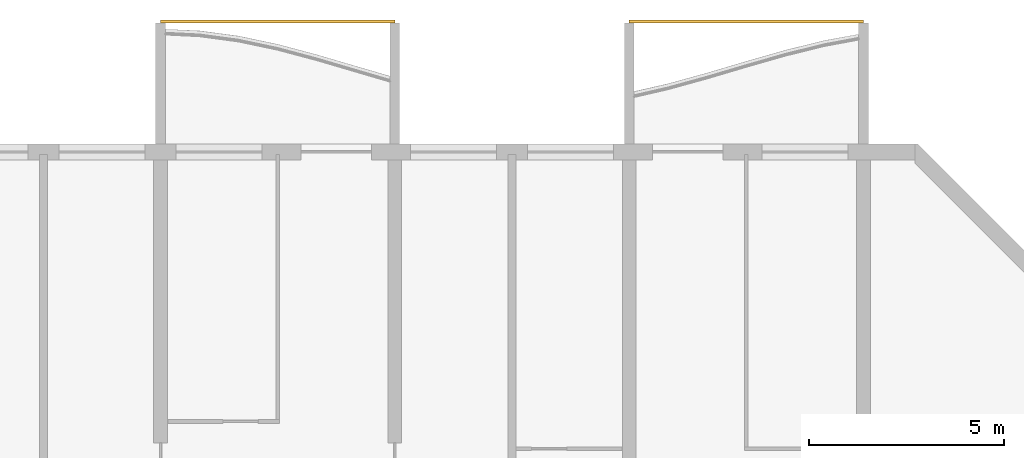
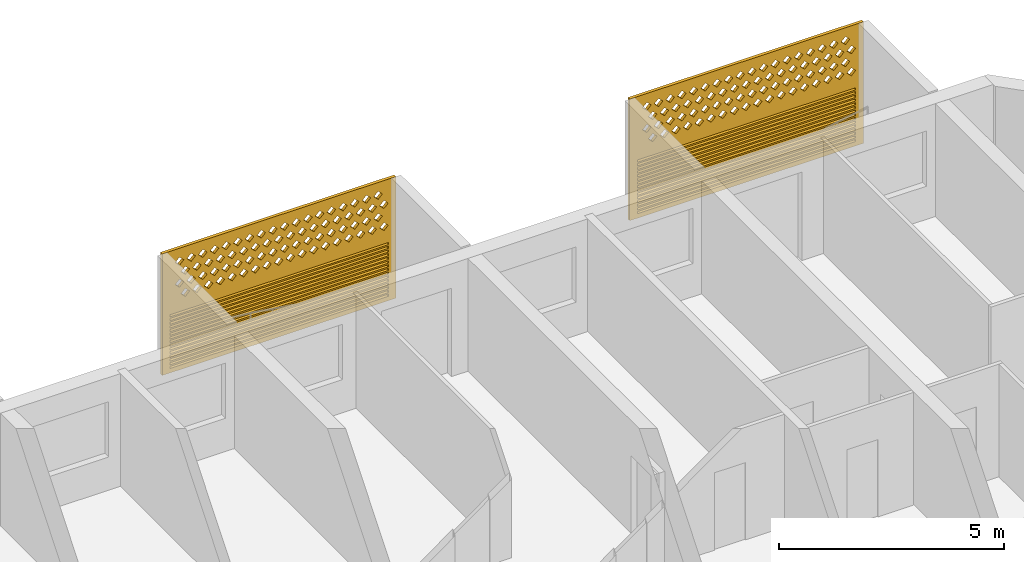
# One storey, part 29 of 29: 2 coverings.
"""IFC4 building model written with IfcOpenShell, lengths in metres."""

from ifc_helpers import new_model, si_unit, direction, frame, origin, place, context, subcontext, project, spatial, polyline, outline, extrude, source, transform, mapped, material, material_profile, profile_set, type_object, element, save


model = new_model("IFC4")

# Units and contexts
model_context = context("Model", 3, precision=1e-05, world=origin(), true_north=direction((0.0, 1.0)))
body_context = subcontext(model_context, "Body", "Model", "MODEL_VIEW")
ifc_project = project(units=[si_unit("LENGTHUNIT", "METRE"), si_unit("AREAUNIT", "SQUARE_METRE"), si_unit("VOLUMEUNIT", "CUBIC_METRE"), si_unit("PLANEANGLEUNIT", "RADIAN"), si_unit("MASSUNIT", "GRAM", prefix="KILO")], contexts=[model_context])

# Site, building, storey
site_placement = place(None, origin())
site = spatial("IfcSite", under=ifc_project, at=site_placement, CompositionType="ELEMENT")
building_placement = place(site_placement, origin())
building = spatial("IfcBuilding", under=site, at=building_placement, Name="Poui Terraces", CompositionType="ELEMENT")
storey_placement = place(building_placement, frame((0.0, 0.0, 86.10009765625)))
storey = spatial("IfcBuildingStorey", under=building, at=storey_placement, Name="L23", CompositionType="ELEMENT", Elevation=86.10009765625)

# Coverings
ifc_material = material(Name="Terracotta screen", Category="masonry")
ifc_material_profile = material_profile(ifc_material, outline(polyline([(-3.0, -1.64990234375), (3.0, -1.64990234375), (3.0, 1.64990234375), (-3.0, 1.64990234375), (-3.0, -1.64990234375)]), holes=[polyline([(-2.800048828125, 0.39990234375), (-2.68994140625, 0.2900390625), (-2.580078125, 0.39990234375), (-2.68994140625, 0.510009765625), (-2.800048828125, 0.39990234375)]), polyline([(-2.5, 0.39990234375), (-2.389892578125, 0.2900390625), (-2.280029296875, 0.39990234375), (-2.389892578125, 0.510009765625), (-2.5, 0.39990234375)]), polyline([(-2.199951171875, 0.39990234375), (-2.090087890625, 0.2900390625), (-1.97998046875, 0.39990234375), (-2.090087890625, 0.510009765625), (-2.199951171875, 0.39990234375)]), polyline([(-1.89990234375, 0.39990234375), (-1.7900390625, 0.2900390625), (-1.679931640625, 0.39990234375), (-1.7900390625, 0.510009765625), (-1.89990234375, 0.39990234375)]), polyline([(-1.60009765625, 0.39990234375), (-1.489990234375, 0.2900390625), (-1.3798828125, 0.39990234375), (-1.489990234375, 0.510009765625), (-1.60009765625, 0.39990234375)]), polyline([(-1.300048828125, 0.39990234375), (-1.18994140625, 0.2900390625), (-1.080078125, 0.39990234375), (-1.18994140625, 0.510009765625), (-1.300048828125, 0.39990234375)]), polyline([(-1.0, 0.39990234375), (-0.889892578125, 0.2900390625), (-0.780029296875, 0.39990234375), (-0.889892578125, 0.510009765625), (-1.0, 0.39990234375)]), polyline([(-0.699951171875, 0.39990234375), (-0.590087890625, 0.2900390625), (-0.47998046875, 0.39990234375), (-0.590087890625, 0.510009765625), (-0.699951171875, 0.39990234375)]), polyline([(-0.39990234375, 0.39990234375), (-0.2900390625, 0.2900390625), (-0.179931640625, 0.39990234375), (-0.2900390625, 0.510009765625), (-0.39990234375, 0.39990234375)]), polyline([(-0.10009765625, 0.39990234375), (0.010009765625, 0.2900390625), (0.1201171875, 0.39990234375), (0.010009765625, 0.510009765625), (-0.10009765625, 0.39990234375)]), polyline([(0.199951171875, 0.39990234375), (0.31005859375, 0.2900390625), (0.419921875, 0.39990234375), (0.31005859375, 0.510009765625), (0.199951171875, 0.39990234375)]), polyline([(0.5, 0.39990234375), (0.610107421875, 0.2900390625), (0.719970703125, 0.39990234375), (0.610107421875, 0.510009765625), (0.5, 0.39990234375)]), polyline([(0.800048828125, 0.39990234375), (0.909912109375, 0.2900390625), (1.02001953125, 0.39990234375), (0.909912109375, 0.510009765625), (0.800048828125, 0.39990234375)]), polyline([(1.10009765625, 0.39990234375), (1.2099609375, 0.2900390625), (1.320068359375, 0.39990234375), (1.2099609375, 0.510009765625), (1.10009765625, 0.39990234375)]), polyline([(1.39990234375, 0.39990234375), (1.510009765625, 0.2900390625), (1.6201171875, 0.39990234375), (1.510009765625, 0.510009765625), (1.39990234375, 0.39990234375)]), polyline([(1.699951171875, 0.39990234375), (1.81005859375, 0.2900390625), (1.919921875, 0.39990234375), (1.81005859375, 0.510009765625), (1.699951171875, 0.39990234375)]), polyline([(2.0, 0.39990234375), (2.110107421875, 0.2900390625), (2.219970703125, 0.39990234375), (2.110107421875, 0.510009765625), (2.0, 0.39990234375)]), polyline([(2.300048828125, 0.39990234375), (2.409912109375, 0.2900390625), (2.52001953125, 0.39990234375), (2.409912109375, 0.510009765625), (2.300048828125, 0.39990234375)]), polyline([(-2.64990234375, 0.699951171875), (-2.5400390625, 0.590087890625), (-2.429931640625, 0.699951171875), (-2.5400390625, 0.81005859375), (-2.64990234375, 0.699951171875)]), polyline([(-2.35009765625, 0.699951171875), (-2.239990234375, 0.590087890625), (-2.1298828125, 0.699951171875), (-2.239990234375, 0.81005859375), (-2.35009765625, 0.699951171875)]), polyline([(-2.050048828125, 0.699951171875), (-1.93994140625, 0.590087890625), (-1.830078125, 0.699951171875), (-1.93994140625, 0.81005859375), (-2.050048828125, 0.699951171875)]), polyline([(-1.75, 0.699951171875), (-1.639892578125, 0.590087890625), (-1.530029296875, 0.699951171875), (-1.639892578125, 0.81005859375), (-1.75, 0.699951171875)]), polyline([(-1.449951171875, 0.699951171875), (-1.340087890625, 0.590087890625), (-1.22998046875, 0.699951171875), (-1.340087890625, 0.81005859375), (-1.449951171875, 0.699951171875)]), polyline([(-1.14990234375, 0.699951171875), (-1.0400390625, 0.590087890625), (-0.929931640625, 0.699951171875), (-1.0400390625, 0.81005859375), (-1.14990234375, 0.699951171875)]), polyline([(-0.85009765625, 0.699951171875), (-0.739990234375, 0.590087890625), (-0.6298828125, 0.699951171875), (-0.739990234375, 0.81005859375), (-0.85009765625, 0.699951171875)]), polyline([(-0.550048828125, 0.699951171875), (-0.43994140625, 0.590087890625), (-0.330078125, 0.699951171875), (-0.43994140625, 0.81005859375), (-0.550048828125, 0.699951171875)]), polyline([(-0.25, 0.699951171875), (-0.139892578125, 0.590087890625), (-0.030029296875, 0.699951171875), (-0.139892578125, 0.81005859375), (-0.25, 0.699951171875)]), polyline([(0.050048828125, 0.699951171875), (0.159912109375, 0.590087890625), (0.27001953125, 0.699951171875), (0.159912109375, 0.81005859375), (0.050048828125, 0.699951171875)]), polyline([(0.35009765625, 0.699951171875), (0.4599609375, 0.590087890625), (0.570068359375, 0.699951171875), (0.4599609375, 0.81005859375), (0.35009765625, 0.699951171875)]), polyline([(0.64990234375, 0.699951171875), (0.760009765625, 0.590087890625), (0.8701171875, 0.699951171875), (0.760009765625, 0.81005859375), (0.64990234375, 0.699951171875)]), polyline([(0.949951171875, 0.699951171875), (1.06005859375, 0.590087890625), (1.169921875, 0.699951171875), (1.06005859375, 0.81005859375), (0.949951171875, 0.699951171875)]), polyline([(1.25, 0.699951171875), (1.360107421875, 0.590087890625), (1.469970703125, 0.699951171875), (1.360107421875, 0.81005859375), (1.25, 0.699951171875)]), polyline([(1.550048828125, 0.699951171875), (1.659912109375, 0.590087890625), (1.77001953125, 0.699951171875), (1.659912109375, 0.81005859375), (1.550048828125, 0.699951171875)]), polyline([(1.85009765625, 0.699951171875), (1.9599609375, 0.590087890625), (2.070068359375, 0.699951171875), (1.9599609375, 0.81005859375), (1.85009765625, 0.699951171875)]), polyline([(2.14990234375, 0.699951171875), (2.260009765625, 0.590087890625), (2.3701171875, 0.699951171875), (2.260009765625, 0.81005859375), (2.14990234375, 0.699951171875)]), polyline([(2.449951171875, 0.699951171875), (2.56005859375, 0.590087890625), (2.669921875, 0.699951171875), (2.56005859375, 0.81005859375), (2.449951171875, 0.699951171875)]), polyline([(-2.800048828125, 1.0), (-2.68994140625, 0.889892578125), (-2.580078125, 1.0), (-2.68994140625, 1.110107421875), (-2.800048828125, 1.0)]), polyline([(-2.5, 1.0), (-2.389892578125, 0.889892578125), (-2.280029296875, 1.0), (-2.389892578125, 1.110107421875), (-2.5, 1.0)]), polyline([(-2.199951171875, 1.0), (-2.090087890625, 0.889892578125), (-1.97998046875, 1.0), (-2.090087890625, 1.110107421875), (-2.199951171875, 1.0)]), polyline([(-1.89990234375, 1.0), (-1.7900390625, 0.889892578125), (-1.679931640625, 1.0), (-1.7900390625, 1.110107421875), (-1.89990234375, 1.0)]), polyline([(-1.60009765625, 1.0), (-1.489990234375, 0.889892578125), (-1.3798828125, 1.0), (-1.489990234375, 1.110107421875), (-1.60009765625, 1.0)]), polyline([(-1.300048828125, 1.0), (-1.18994140625, 0.889892578125), (-1.080078125, 1.0), (-1.18994140625, 1.110107421875), (-1.300048828125, 1.0)]), polyline([(-1.0, 1.0), (-0.889892578125, 0.889892578125), (-0.780029296875, 1.0), (-0.889892578125, 1.110107421875), (-1.0, 1.0)]), polyline([(-0.699951171875, 1.0), (-0.590087890625, 0.889892578125), (-0.47998046875, 1.0), (-0.590087890625, 1.110107421875), (-0.699951171875, 1.0)]), polyline([(-0.39990234375, 1.0), (-0.2900390625, 0.889892578125), (-0.179931640625, 1.0), (-0.2900390625, 1.110107421875), (-0.39990234375, 1.0)]), polyline([(-0.10009765625, 1.0), (0.010009765625, 0.889892578125), (0.1201171875, 1.0), (0.010009765625, 1.110107421875), (-0.10009765625, 1.0)]), polyline([(0.199951171875, 1.0), (0.31005859375, 0.889892578125), (0.419921875, 1.0), (0.31005859375, 1.110107421875), (0.199951171875, 1.0)]), polyline([(0.5, 1.0), (0.610107421875, 0.889892578125), (0.719970703125, 1.0), (0.610107421875, 1.110107421875), (0.5, 1.0)]), polyline([(0.800048828125, 1.0), (0.909912109375, 0.889892578125), (1.02001953125, 1.0), (0.909912109375, 1.110107421875), (0.800048828125, 1.0)]), polyline([(1.10009765625, 1.0), (1.2099609375, 0.889892578125), (1.320068359375, 1.0), (1.2099609375, 1.110107421875), (1.10009765625, 1.0)]), polyline([(1.39990234375, 1.0), (1.510009765625, 0.889892578125), (1.6201171875, 1.0), (1.510009765625, 1.110107421875), (1.39990234375, 1.0)]), polyline([(1.699951171875, 1.0), (1.81005859375, 0.889892578125), (1.919921875, 1.0), (1.81005859375, 1.110107421875), (1.699951171875, 1.0)]), polyline([(2.0, 1.0), (2.110107421875, 0.889892578125), (2.219970703125, 1.0), (2.110107421875, 1.110107421875), (2.0, 1.0)]), polyline([(2.300048828125, 1.0), (2.409912109375, 0.889892578125), (2.52001953125, 1.0), (2.409912109375, 1.110107421875), (2.300048828125, 1.0)]), polyline([(-2.64990234375, 1.300048828125), (-2.5400390625, 1.18994140625), (-2.429931640625, 1.300048828125), (-2.5400390625, 1.409912109375), (-2.64990234375, 1.300048828125)]), polyline([(-2.35009765625, 1.300048828125), (-2.239990234375, 1.18994140625), (-2.1298828125, 1.300048828125), (-2.239990234375, 1.409912109375), (-2.35009765625, 1.300048828125)]), polyline([(-2.050048828125, 1.300048828125), (-1.93994140625, 1.18994140625), (-1.830078125, 1.300048828125), (-1.93994140625, 1.409912109375), (-2.050048828125, 1.300048828125)]), polyline([(-1.75, 1.300048828125), (-1.639892578125, 1.18994140625), (-1.530029296875, 1.300048828125), (-1.639892578125, 1.409912109375), (-1.75, 1.300048828125)]), polyline([(-1.449951171875, 1.300048828125), (-1.340087890625, 1.18994140625), (-1.22998046875, 1.300048828125), (-1.340087890625, 1.409912109375), (-1.449951171875, 1.300048828125)]), polyline([(-1.14990234375, 1.300048828125), (-1.0400390625, 1.18994140625), (-0.929931640625, 1.300048828125), (-1.0400390625, 1.409912109375), (-1.14990234375, 1.300048828125)]), polyline([(-0.85009765625, 1.300048828125), (-0.739990234375, 1.18994140625), (-0.6298828125, 1.300048828125), (-0.739990234375, 1.409912109375), (-0.85009765625, 1.300048828125)]), polyline([(-0.550048828125, 1.300048828125), (-0.43994140625, 1.18994140625), (-0.330078125, 1.300048828125), (-0.43994140625, 1.409912109375), (-0.550048828125, 1.300048828125)]), polyline([(-0.25, 1.300048828125), (-0.139892578125, 1.18994140625), (-0.030029296875, 1.300048828125), (-0.139892578125, 1.409912109375), (-0.25, 1.300048828125)]), polyline([(0.050048828125, 1.300048828125), (0.159912109375, 1.18994140625), (0.27001953125, 1.300048828125), (0.159912109375, 1.409912109375), (0.050048828125, 1.300048828125)]), polyline([(0.35009765625, 1.300048828125), (0.4599609375, 1.18994140625), (0.570068359375, 1.300048828125), (0.4599609375, 1.409912109375), (0.35009765625, 1.300048828125)]), polyline([(0.64990234375, 1.300048828125), (0.760009765625, 1.18994140625), (0.8701171875, 1.300048828125), (0.760009765625, 1.409912109375), (0.64990234375, 1.300048828125)]), polyline([(0.949951171875, 1.300048828125), (1.06005859375, 1.18994140625), (1.169921875, 1.300048828125), (1.06005859375, 1.409912109375), (0.949951171875, 1.300048828125)]), polyline([(1.25, 1.300048828125), (1.360107421875, 1.18994140625), (1.469970703125, 1.300048828125), (1.360107421875, 1.409912109375), (1.25, 1.300048828125)]), polyline([(1.550048828125, 1.300048828125), (1.659912109375, 1.18994140625), (1.77001953125, 1.300048828125), (1.659912109375, 1.409912109375), (1.550048828125, 1.300048828125)]), polyline([(1.85009765625, 1.300048828125), (1.9599609375, 1.18994140625), (2.070068359375, 1.300048828125), (1.9599609375, 1.409912109375), (1.85009765625, 1.300048828125)]), polyline([(2.14990234375, 1.300048828125), (2.260009765625, 1.18994140625), (2.3701171875, 1.300048828125), (2.260009765625, 1.409912109375), (2.14990234375, 1.300048828125)]), polyline([(2.449951171875, 1.300048828125), (2.56005859375, 1.18994140625), (2.669921875, 1.300048828125), (2.56005859375, 1.409912109375), (2.449951171875, 1.300048828125)]), polyline([(-2.800048828125, -1.530029296875), (2.800048828125, -1.530029296875), (2.800048828125, -1.469970703125), (-2.800048828125, -1.469970703125), (-2.800048828125, -1.530029296875)]), polyline([(-2.800048828125, -1.429931640625), (2.800048828125, -1.429931640625), (2.800048828125, -1.3701171875), (-2.800048828125, -1.3701171875), (-2.800048828125, -1.429931640625)]), polyline([(-2.800048828125, -1.330078125), (2.800048828125, -1.330078125), (2.800048828125, -1.27001953125), (-2.800048828125, -1.27001953125), (-2.800048828125, -1.330078125)]), polyline([(-2.800048828125, -1.22998046875), (2.800048828125, -1.22998046875), (2.800048828125, -1.169921875), (-2.800048828125, -1.169921875), (-2.800048828125, -1.22998046875)]), polyline([(-2.800048828125, -1.1298828125), (2.800048828125, -1.1298828125), (2.800048828125, -1.070068359375), (-2.800048828125, -1.070068359375), (-2.800048828125, -1.1298828125)]), polyline([(-2.800048828125, -1.030029296875), (2.800048828125, -1.030029296875), (2.800048828125, -0.969970703125), (-2.800048828125, -0.969970703125), (-2.800048828125, -1.030029296875)]), polyline([(-2.800048828125, -0.929931640625), (2.800048828125, -0.929931640625), (2.800048828125, -0.8701171875), (-2.800048828125, -0.8701171875), (-2.800048828125, -0.929931640625)]), polyline([(-2.800048828125, -0.830078125), (2.800048828125, -0.830078125), (2.800048828125, -0.77001953125), (-2.800048828125, -0.77001953125), (-2.800048828125, -0.830078125)]), polyline([(-2.800048828125, -0.72998046875), (2.800048828125, -0.72998046875), (2.800048828125, -0.669921875), (-2.800048828125, -0.669921875), (-2.800048828125, -0.72998046875)]), polyline([(-2.800048828125, -0.6298828125), (2.800048828125, -0.6298828125), (2.800048828125, -0.570068359375), (-2.800048828125, -0.570068359375), (-2.800048828125, -0.6298828125)]), polyline([(-2.800048828125, -0.530029296875), (2.800048828125, -0.530029296875), (2.800048828125, -0.469970703125), (-2.800048828125, -0.469970703125), (-2.800048828125, -0.530029296875)]), polyline([(-2.800048828125, -0.429931640625), (2.800048828125, -0.429931640625), (2.800048828125, -0.3701171875), (-2.800048828125, -0.3701171875), (-2.800048828125, -0.429931640625)]), polyline([(-2.800048828125, -0.330078125), (2.800048828125, -0.330078125), (2.800048828125, -0.27001953125), (-2.800048828125, -0.27001953125), (-2.800048828125, -0.330078125)]), polyline([(-2.800048828125, -0.22998046875), (2.800048828125, -0.22998046875), (2.800048828125, -0.169921875), (-2.800048828125, -0.169921875), (-2.800048828125, -0.22998046875)]), polyline([(-2.800048828125, -0.1298828125), (2.800048828125, -0.1298828125), (2.800048828125, -0.070068359375), (-2.800048828125, -0.070068359375), (-2.800048828125, -0.1298828125)])]), Name="TERRACOTTA SCREEN AND JALOUSIE LOUVRE 6000X3300")
ifc_profile_set = profile_set([ifc_material_profile], Name="Terracotta screen")
covering_type = type_object("IfcCoveringType", Name="TERRACOTTA SCREEN AND JALOUSIE LOUVRE 6000X3300", PredefinedType="CLADDING", material=ifc_profile_set)
shared_shape = source(origin(), body_context, "Body", "SweptSolid", [
    extrude(outline(polyline([(-3.0, -1.64990234375), (3.0, -1.64990234375), (3.0, 1.64990234375), (-3.0, 1.64990234375), (-3.0, -1.64990234375)]), holes=[polyline([(-2.800048828125, 0.39990234375), (-2.68994140625, 0.2900390625), (-2.580078125, 0.39990234375), (-2.68994140625, 0.510009765625), (-2.800048828125, 0.39990234375)]), polyline([(-2.5, 0.39990234375), (-2.389892578125, 0.2900390625), (-2.280029296875, 0.39990234375), (-2.389892578125, 0.510009765625), (-2.5, 0.39990234375)]), polyline([(-2.199951171875, 0.39990234375), (-2.090087890625, 0.2900390625), (-1.97998046875, 0.39990234375), (-2.090087890625, 0.510009765625), (-2.199951171875, 0.39990234375)]), polyline([(-1.89990234375, 0.39990234375), (-1.7900390625, 0.2900390625), (-1.679931640625, 0.39990234375), (-1.7900390625, 0.510009765625), (-1.89990234375, 0.39990234375)]), polyline([(-1.60009765625, 0.39990234375), (-1.489990234375, 0.2900390625), (-1.3798828125, 0.39990234375), (-1.489990234375, 0.510009765625), (-1.60009765625, 0.39990234375)]), polyline([(-1.300048828125, 0.39990234375), (-1.18994140625, 0.2900390625), (-1.080078125, 0.39990234375), (-1.18994140625, 0.510009765625), (-1.300048828125, 0.39990234375)]), polyline([(-1.0, 0.39990234375), (-0.889892578125, 0.2900390625), (-0.780029296875, 0.39990234375), (-0.889892578125, 0.510009765625), (-1.0, 0.39990234375)]), polyline([(-0.699951171875, 0.39990234375), (-0.590087890625, 0.2900390625), (-0.47998046875, 0.39990234375), (-0.590087890625, 0.510009765625), (-0.699951171875, 0.39990234375)]), polyline([(-0.39990234375, 0.39990234375), (-0.2900390625, 0.2900390625), (-0.179931640625, 0.39990234375), (-0.2900390625, 0.510009765625), (-0.39990234375, 0.39990234375)]), polyline([(-0.10009765625, 0.39990234375), (0.010009765625, 0.2900390625), (0.1201171875, 0.39990234375), (0.010009765625, 0.510009765625), (-0.10009765625, 0.39990234375)]), polyline([(0.199951171875, 0.39990234375), (0.31005859375, 0.2900390625), (0.419921875, 0.39990234375), (0.31005859375, 0.510009765625), (0.199951171875, 0.39990234375)]), polyline([(0.5, 0.39990234375), (0.610107421875, 0.2900390625), (0.719970703125, 0.39990234375), (0.610107421875, 0.510009765625), (0.5, 0.39990234375)]), polyline([(0.800048828125, 0.39990234375), (0.909912109375, 0.2900390625), (1.02001953125, 0.39990234375), (0.909912109375, 0.510009765625), (0.800048828125, 0.39990234375)]), polyline([(1.10009765625, 0.39990234375), (1.2099609375, 0.2900390625), (1.320068359375, 0.39990234375), (1.2099609375, 0.510009765625), (1.10009765625, 0.39990234375)]), polyline([(1.39990234375, 0.39990234375), (1.510009765625, 0.2900390625), (1.6201171875, 0.39990234375), (1.510009765625, 0.510009765625), (1.39990234375, 0.39990234375)]), polyline([(1.699951171875, 0.39990234375), (1.81005859375, 0.2900390625), (1.919921875, 0.39990234375), (1.81005859375, 0.510009765625), (1.699951171875, 0.39990234375)]), polyline([(2.0, 0.39990234375), (2.110107421875, 0.2900390625), (2.219970703125, 0.39990234375), (2.110107421875, 0.510009765625), (2.0, 0.39990234375)]), polyline([(2.300048828125, 0.39990234375), (2.409912109375, 0.2900390625), (2.52001953125, 0.39990234375), (2.409912109375, 0.510009765625), (2.300048828125, 0.39990234375)]), polyline([(-2.64990234375, 0.699951171875), (-2.5400390625, 0.590087890625), (-2.429931640625, 0.699951171875), (-2.5400390625, 0.81005859375), (-2.64990234375, 0.699951171875)]), polyline([(-2.35009765625, 0.699951171875), (-2.239990234375, 0.590087890625), (-2.1298828125, 0.699951171875), (-2.239990234375, 0.81005859375), (-2.35009765625, 0.699951171875)]), polyline([(-2.050048828125, 0.699951171875), (-1.93994140625, 0.590087890625), (-1.830078125, 0.699951171875), (-1.93994140625, 0.81005859375), (-2.050048828125, 0.699951171875)]), polyline([(-1.75, 0.699951171875), (-1.639892578125, 0.590087890625), (-1.530029296875, 0.699951171875), (-1.639892578125, 0.81005859375), (-1.75, 0.699951171875)]), polyline([(-1.449951171875, 0.699951171875), (-1.340087890625, 0.590087890625), (-1.22998046875, 0.699951171875), (-1.340087890625, 0.81005859375), (-1.449951171875, 0.699951171875)]), polyline([(-1.14990234375, 0.699951171875), (-1.0400390625, 0.590087890625), (-0.929931640625, 0.699951171875), (-1.0400390625, 0.81005859375), (-1.14990234375, 0.699951171875)]), polyline([(-0.85009765625, 0.699951171875), (-0.739990234375, 0.590087890625), (-0.6298828125, 0.699951171875), (-0.739990234375, 0.81005859375), (-0.85009765625, 0.699951171875)]), polyline([(-0.550048828125, 0.699951171875), (-0.43994140625, 0.590087890625), (-0.330078125, 0.699951171875), (-0.43994140625, 0.81005859375), (-0.550048828125, 0.699951171875)]), polyline([(-0.25, 0.699951171875), (-0.139892578125, 0.590087890625), (-0.030029296875, 0.699951171875), (-0.139892578125, 0.81005859375), (-0.25, 0.699951171875)]), polyline([(0.050048828125, 0.699951171875), (0.159912109375, 0.590087890625), (0.27001953125, 0.699951171875), (0.159912109375, 0.81005859375), (0.050048828125, 0.699951171875)]), polyline([(0.35009765625, 0.699951171875), (0.4599609375, 0.590087890625), (0.570068359375, 0.699951171875), (0.4599609375, 0.81005859375), (0.35009765625, 0.699951171875)]), polyline([(0.64990234375, 0.699951171875), (0.760009765625, 0.590087890625), (0.8701171875, 0.699951171875), (0.760009765625, 0.81005859375), (0.64990234375, 0.699951171875)]), polyline([(0.949951171875, 0.699951171875), (1.06005859375, 0.590087890625), (1.169921875, 0.699951171875), (1.06005859375, 0.81005859375), (0.949951171875, 0.699951171875)]), polyline([(1.25, 0.699951171875), (1.360107421875, 0.590087890625), (1.469970703125, 0.699951171875), (1.360107421875, 0.81005859375), (1.25, 0.699951171875)]), polyline([(1.550048828125, 0.699951171875), (1.659912109375, 0.590087890625), (1.77001953125, 0.699951171875), (1.659912109375, 0.81005859375), (1.550048828125, 0.699951171875)]), polyline([(1.85009765625, 0.699951171875), (1.9599609375, 0.590087890625), (2.070068359375, 0.699951171875), (1.9599609375, 0.81005859375), (1.85009765625, 0.699951171875)]), polyline([(2.14990234375, 0.699951171875), (2.260009765625, 0.590087890625), (2.3701171875, 0.699951171875), (2.260009765625, 0.81005859375), (2.14990234375, 0.699951171875)]), polyline([(2.449951171875, 0.699951171875), (2.56005859375, 0.590087890625), (2.669921875, 0.699951171875), (2.56005859375, 0.81005859375), (2.449951171875, 0.699951171875)]), polyline([(-2.800048828125, 1.0), (-2.68994140625, 0.889892578125), (-2.580078125, 1.0), (-2.68994140625, 1.110107421875), (-2.800048828125, 1.0)]), polyline([(-2.5, 1.0), (-2.389892578125, 0.889892578125), (-2.280029296875, 1.0), (-2.389892578125, 1.110107421875), (-2.5, 1.0)]), polyline([(-2.199951171875, 1.0), (-2.090087890625, 0.889892578125), (-1.97998046875, 1.0), (-2.090087890625, 1.110107421875), (-2.199951171875, 1.0)]), polyline([(-1.89990234375, 1.0), (-1.7900390625, 0.889892578125), (-1.679931640625, 1.0), (-1.7900390625, 1.110107421875), (-1.89990234375, 1.0)]), polyline([(-1.60009765625, 1.0), (-1.489990234375, 0.889892578125), (-1.3798828125, 1.0), (-1.489990234375, 1.110107421875), (-1.60009765625, 1.0)]), polyline([(-1.300048828125, 1.0), (-1.18994140625, 0.889892578125), (-1.080078125, 1.0), (-1.18994140625, 1.110107421875), (-1.300048828125, 1.0)]), polyline([(-1.0, 1.0), (-0.889892578125, 0.889892578125), (-0.780029296875, 1.0), (-0.889892578125, 1.110107421875), (-1.0, 1.0)]), polyline([(-0.699951171875, 1.0), (-0.590087890625, 0.889892578125), (-0.47998046875, 1.0), (-0.590087890625, 1.110107421875), (-0.699951171875, 1.0)]), polyline([(-0.39990234375, 1.0), (-0.2900390625, 0.889892578125), (-0.179931640625, 1.0), (-0.2900390625, 1.110107421875), (-0.39990234375, 1.0)]), polyline([(-0.10009765625, 1.0), (0.010009765625, 0.889892578125), (0.1201171875, 1.0), (0.010009765625, 1.110107421875), (-0.10009765625, 1.0)]), polyline([(0.199951171875, 1.0), (0.31005859375, 0.889892578125), (0.419921875, 1.0), (0.31005859375, 1.110107421875), (0.199951171875, 1.0)]), polyline([(0.5, 1.0), (0.610107421875, 0.889892578125), (0.719970703125, 1.0), (0.610107421875, 1.110107421875), (0.5, 1.0)]), polyline([(0.800048828125, 1.0), (0.909912109375, 0.889892578125), (1.02001953125, 1.0), (0.909912109375, 1.110107421875), (0.800048828125, 1.0)]), polyline([(1.10009765625, 1.0), (1.2099609375, 0.889892578125), (1.320068359375, 1.0), (1.2099609375, 1.110107421875), (1.10009765625, 1.0)]), polyline([(1.39990234375, 1.0), (1.510009765625, 0.889892578125), (1.6201171875, 1.0), (1.510009765625, 1.110107421875), (1.39990234375, 1.0)]), polyline([(1.699951171875, 1.0), (1.81005859375, 0.889892578125), (1.919921875, 1.0), (1.81005859375, 1.110107421875), (1.699951171875, 1.0)]), polyline([(2.0, 1.0), (2.110107421875, 0.889892578125), (2.219970703125, 1.0), (2.110107421875, 1.110107421875), (2.0, 1.0)]), polyline([(2.300048828125, 1.0), (2.409912109375, 0.889892578125), (2.52001953125, 1.0), (2.409912109375, 1.110107421875), (2.300048828125, 1.0)]), polyline([(-2.64990234375, 1.300048828125), (-2.5400390625, 1.18994140625), (-2.429931640625, 1.300048828125), (-2.5400390625, 1.409912109375), (-2.64990234375, 1.300048828125)]), polyline([(-2.35009765625, 1.300048828125), (-2.239990234375, 1.18994140625), (-2.1298828125, 1.300048828125), (-2.239990234375, 1.409912109375), (-2.35009765625, 1.300048828125)]), polyline([(-2.050048828125, 1.300048828125), (-1.93994140625, 1.18994140625), (-1.830078125, 1.300048828125), (-1.93994140625, 1.409912109375), (-2.050048828125, 1.300048828125)]), polyline([(-1.75, 1.300048828125), (-1.639892578125, 1.18994140625), (-1.530029296875, 1.300048828125), (-1.639892578125, 1.409912109375), (-1.75, 1.300048828125)]), polyline([(-1.449951171875, 1.300048828125), (-1.340087890625, 1.18994140625), (-1.22998046875, 1.300048828125), (-1.340087890625, 1.409912109375), (-1.449951171875, 1.300048828125)]), polyline([(-1.14990234375, 1.300048828125), (-1.0400390625, 1.18994140625), (-0.929931640625, 1.300048828125), (-1.0400390625, 1.409912109375), (-1.14990234375, 1.300048828125)]), polyline([(-0.85009765625, 1.300048828125), (-0.739990234375, 1.18994140625), (-0.6298828125, 1.300048828125), (-0.739990234375, 1.409912109375), (-0.85009765625, 1.300048828125)]), polyline([(-0.550048828125, 1.300048828125), (-0.43994140625, 1.18994140625), (-0.330078125, 1.300048828125), (-0.43994140625, 1.409912109375), (-0.550048828125, 1.300048828125)]), polyline([(-0.25, 1.300048828125), (-0.139892578125, 1.18994140625), (-0.030029296875, 1.300048828125), (-0.139892578125, 1.409912109375), (-0.25, 1.300048828125)]), polyline([(0.050048828125, 1.300048828125), (0.159912109375, 1.18994140625), (0.27001953125, 1.300048828125), (0.159912109375, 1.409912109375), (0.050048828125, 1.300048828125)]), polyline([(0.35009765625, 1.300048828125), (0.4599609375, 1.18994140625), (0.570068359375, 1.300048828125), (0.4599609375, 1.409912109375), (0.35009765625, 1.300048828125)]), polyline([(0.64990234375, 1.300048828125), (0.760009765625, 1.18994140625), (0.8701171875, 1.300048828125), (0.760009765625, 1.409912109375), (0.64990234375, 1.300048828125)]), polyline([(0.949951171875, 1.300048828125), (1.06005859375, 1.18994140625), (1.169921875, 1.300048828125), (1.06005859375, 1.409912109375), (0.949951171875, 1.300048828125)]), polyline([(1.25, 1.300048828125), (1.360107421875, 1.18994140625), (1.469970703125, 1.300048828125), (1.360107421875, 1.409912109375), (1.25, 1.300048828125)]), polyline([(1.550048828125, 1.300048828125), (1.659912109375, 1.18994140625), (1.77001953125, 1.300048828125), (1.659912109375, 1.409912109375), (1.550048828125, 1.300048828125)]), polyline([(1.85009765625, 1.300048828125), (1.9599609375, 1.18994140625), (2.070068359375, 1.300048828125), (1.9599609375, 1.409912109375), (1.85009765625, 1.300048828125)]), polyline([(2.14990234375, 1.300048828125), (2.260009765625, 1.18994140625), (2.3701171875, 1.300048828125), (2.260009765625, 1.409912109375), (2.14990234375, 1.300048828125)]), polyline([(2.449951171875, 1.300048828125), (2.56005859375, 1.18994140625), (2.669921875, 1.300048828125), (2.56005859375, 1.409912109375), (2.449951171875, 1.300048828125)]), polyline([(-2.800048828125, -1.530029296875), (2.800048828125, -1.530029296875), (2.800048828125, -1.469970703125), (-2.800048828125, -1.469970703125), (-2.800048828125, -1.530029296875)]), polyline([(-2.800048828125, -1.429931640625), (2.800048828125, -1.429931640625), (2.800048828125, -1.3701171875), (-2.800048828125, -1.3701171875), (-2.800048828125, -1.429931640625)]), polyline([(-2.800048828125, -1.330078125), (2.800048828125, -1.330078125), (2.800048828125, -1.27001953125), (-2.800048828125, -1.27001953125), (-2.800048828125, -1.330078125)]), polyline([(-2.800048828125, -1.22998046875), (2.800048828125, -1.22998046875), (2.800048828125, -1.169921875), (-2.800048828125, -1.169921875), (-2.800048828125, -1.22998046875)]), polyline([(-2.800048828125, -1.1298828125), (2.800048828125, -1.1298828125), (2.800048828125, -1.070068359375), (-2.800048828125, -1.070068359375), (-2.800048828125, -1.1298828125)]), polyline([(-2.800048828125, -1.030029296875), (2.800048828125, -1.030029296875), (2.800048828125, -0.969970703125), (-2.800048828125, -0.969970703125), (-2.800048828125, -1.030029296875)]), polyline([(-2.800048828125, -0.929931640625), (2.800048828125, -0.929931640625), (2.800048828125, -0.8701171875), (-2.800048828125, -0.8701171875), (-2.800048828125, -0.929931640625)]), polyline([(-2.800048828125, -0.830078125), (2.800048828125, -0.830078125), (2.800048828125, -0.77001953125), (-2.800048828125, -0.77001953125), (-2.800048828125, -0.830078125)]), polyline([(-2.800048828125, -0.72998046875), (2.800048828125, -0.72998046875), (2.800048828125, -0.669921875), (-2.800048828125, -0.669921875), (-2.800048828125, -0.72998046875)]), polyline([(-2.800048828125, -0.6298828125), (2.800048828125, -0.6298828125), (2.800048828125, -0.570068359375), (-2.800048828125, -0.570068359375), (-2.800048828125, -0.6298828125)]), polyline([(-2.800048828125, -0.530029296875), (2.800048828125, -0.530029296875), (2.800048828125, -0.469970703125), (-2.800048828125, -0.469970703125), (-2.800048828125, -0.530029296875)]), polyline([(-2.800048828125, -0.429931640625), (2.800048828125, -0.429931640625), (2.800048828125, -0.3701171875), (-2.800048828125, -0.3701171875), (-2.800048828125, -0.429931640625)]), polyline([(-2.800048828125, -0.330078125), (2.800048828125, -0.330078125), (2.800048828125, -0.27001953125), (-2.800048828125, -0.27001953125), (-2.800048828125, -0.330078125)]), polyline([(-2.800048828125, -0.22998046875), (2.800048828125, -0.22998046875), (2.800048828125, -0.169921875), (-2.800048828125, -0.169921875), (-2.800048828125, -0.22998046875)]), polyline([(-2.800048828125, -0.1298828125), (2.800048828125, -0.1298828125), (2.800048828125, -0.070068359375), (-2.800048828125, -0.070068359375), (-2.800048828125, -0.1298828125)])]), origin(), (0.0, 0.0, 1.0), 0.080078125),
])
for number, where, z_axis, x_axis, name in (
    (1, (75.0, 46.89990234375, 1.449951171875), (0.0, 1.0, 0.0), (-1.0, 0.0, 0.0), "SOLAR SCREEN AND JALOUSIE LOUVRE"),
    (2, (87.0, 46.89990234375, 1.449951171875), (0.0, 1.0, 0.0), (-1.0, 0.0, 0.0), "SOLAR SCREEN AND JALOUSIE LOUVRE"),
):
    element("IfcCovering", number, at=place(storey_placement, frame(where, z_axis=z_axis, x_axis=x_axis)), inside=storey, type_object=covering_type, Name=name, PredefinedType="CLADDING", context=body_context, shape_type="MappedRepresentation", body=[
        mapped(shared_shape, transform((0.0, 0.0, 0.0))),
    ])

save(model, "model.ifc")
